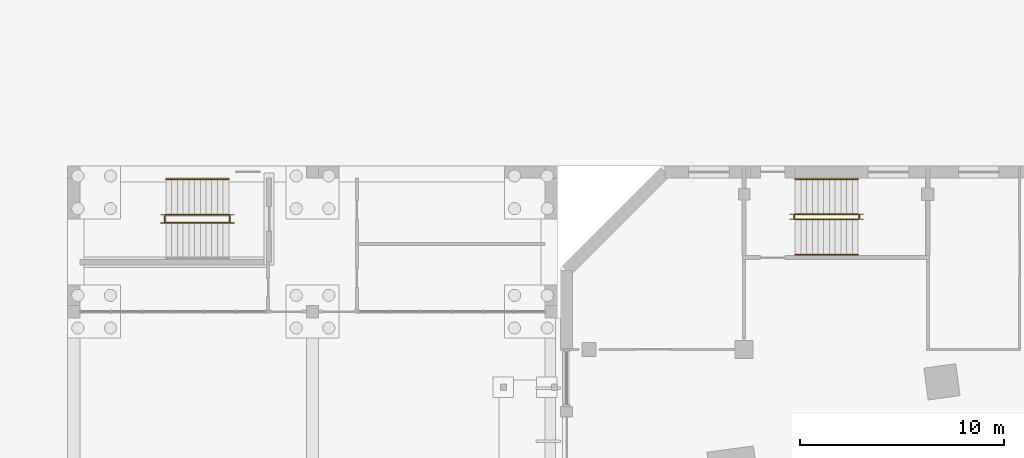
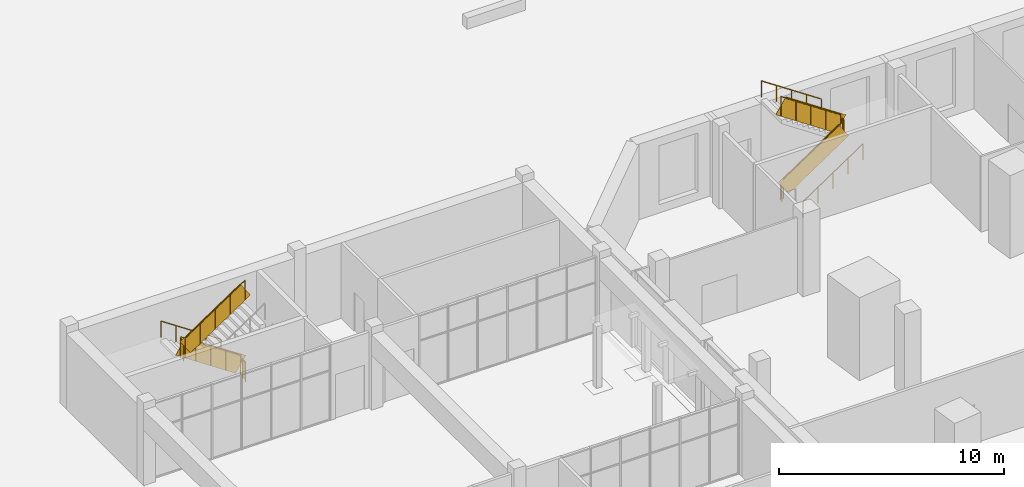
# One storey, part 39 of 42: 11 railings.
"""IFC4 building model written with IfcOpenShell, lengths in metres."""

import ifcopenshell
import ifcopenshell.guid

model = None  # the IFC model being written
_history = None  # IfcOwnerHistory: only IFC2X3 demands one
_inside = {}  # id of a spatial element -> (the spatial element, [elements in it])
_under = {}  # id of a project, library or spatial element -> (it, [spatial elements below it])
_declared = {}  # id of a project -> (the project, [libraries it declares])
_typed = {}  # id of a type object -> (the type object, [elements of that type])
_made_of = {}  # id of a material, layer set ... -> (it, [elements and type objects made of it])


def new_model(schema):
    """Start an empty IFC model of exactly this schema.

    Asked for "IFC4X3", IfcOpenShell would pick the latest addendum, in which some entities
    have other attributes; the version numbers below select the first issue.
    IFC2X3 requires an IfcOwnerHistory on every rooted entity: one is made here for all.
    """
    global model, _history
    if schema == "IFC4X3":
        model = ifcopenshell.file(schema_version=(4, 3, 0, 0))
    else:
        model = ifcopenshell.file(schema=schema)
    _inside.clear()
    _under.clear()
    _declared.clear()
    _typed.clear()
    _made_of.clear()
    _history = None
    if model.schema == "IFC2X3":
        org = make("IfcOrganization", Name="unknown")
        user = make(
            "IfcPersonAndOrganization",
            ThePerson=make("IfcPerson", FamilyName="unknown"),
            TheOrganization=org,
        )
        app = make(
            "IfcApplication",
            ApplicationDeveloper=org,
            Version="unknown",
            ApplicationFullName="unknown",
            ApplicationIdentifier="unknown",
        )
        _history = make(
            "IfcOwnerHistory",
            OwningUser=user,
            OwningApplication=app,
            ChangeAction="ADDED",
            CreationDate=0,
        )
    return model


def make(cls, **values):
    """One entity of the class cls with the attributes given. An attribute that is None is left unset."""
    return model.create_entity(
        cls, **{name: value for name, value in values.items() if value is not None}
    )


def rooted(cls, **values):
    """An entity with a GlobalId (a new one), such as an element, a storey or a relation."""
    return make(cls, GlobalId=ifcopenshell.guid.new(), OwnerHistory=_history, **values)


def si_unit(unit_type, name, prefix=None):
    """IfcSIUnit, for example si_unit("LENGTHUNIT", "METRE", prefix="MILLI")."""
    return make("IfcSIUnit", UnitType=unit_type, Prefix=prefix, Name=name)


def assignment(units):
    """IfcUnitAssignment: the units of a project."""
    return None if units is None else make("IfcUnitAssignment", Units=units)


def point(xyz):
    """IfcCartesianPoint."""
    return None if xyz is None else make("IfcCartesianPoint", Coordinates=xyz)


def direction(xyz):
    """IfcDirection."""
    return None if xyz is None else make("IfcDirection", DirectionRatios=xyz)


def frame(location, z_axis=None, x_axis=None):
    """IfcAxis2Placement3D, a coordinate frame: its origin and axes. An axis left out is left unset."""
    return make(
        "IfcAxis2Placement3D",
        Location=point(location),
        Axis=direction(z_axis),
        RefDirection=direction(x_axis),
    )


def frame_2d(location, x_axis=None):
    """IfcAxis2Placement2D, a coordinate frame in the plane: its origin and x axis."""
    return make(
        "IfcAxis2Placement2D", Location=point(location), RefDirection=direction(x_axis)
    )


def origin():
    """The frame at (0, 0, 0) with its axes left unset."""
    return frame((0.0, 0.0, 0.0))


def origin_2d():
    """The frame at (0, 0) in the plane with its x axis left unset."""
    return frame_2d((0.0, 0.0))


def place(relative_to, where):
    """IfcLocalPlacement: puts the frame where relative to a parent placement (None: the world)."""
    return make(
        "IfcLocalPlacement", PlacementRelTo=relative_to, RelativePlacement=where
    )


def context(
    kind, dimensions, precision=None, world=None, true_north=None, identifier=None
):
    """IfcGeometricRepresentationContext, for example the 3D "Model" context."""
    return make(
        "IfcGeometricRepresentationContext",
        ContextIdentifier=identifier,
        ContextType=kind,
        CoordinateSpaceDimension=dimensions,
        Precision=precision,
        WorldCoordinateSystem=world,
        TrueNorth=true_north,
    )


def subcontext(parent, identifier, kind, view, scale=None):
    """IfcGeometricRepresentationSubContext, for example "Body" below "Model"."""
    return make(
        "IfcGeometricRepresentationSubContext",
        ContextIdentifier=identifier,
        ContextType=kind,
        ParentContext=parent,
        TargetScale=scale,
        TargetView=view,
    )


def project(units=None, contexts=None):
    """IfcProject with its units and contexts."""
    return rooted(
        "IfcProject",
        Name="project",
        RepresentationContexts=contexts,
        UnitsInContext=assignment(units),
    )


def spatial(cls, under=None, at=None, **own):
    """A site, building, storey or space (cls), placed at a placement, below another one or the project."""
    s = rooted(cls, ObjectPlacement=at, **own)
    if under is not None:
        _under.setdefault(under.id(), (under, []))[1].append(s)
    return s


def profile(cls, at=None, kind="AREA", **sizes):
    """A parametric profile (cls). Its sizes go by their IFC names, for example OverallWidth=200.0."""
    return make(cls, ProfileType=kind, Position=at, **sizes)


def rectangle(**sizes):
    """IfcRectangleProfileDef."""
    return profile("IfcRectangleProfileDef", **sizes)


def circle(**sizes):
    """IfcCircleProfileDef."""
    return profile("IfcCircleProfileDef", **sizes)


def extrude(swept, where, along, depth):
    """IfcExtrudedAreaSolid: the profile swept, set in the frame where, extruded along a direction by depth."""
    return make(
        "IfcExtrudedAreaSolid",
        SweptArea=swept,
        Position=where,
        ExtrudedDirection=direction(along),
        Depth=depth,
    )


def shape(context_of_items, identifier, shape_type, items):
    """IfcShapeRepresentation: the items that make up one representation, for example the "Body"."""
    return make(
        "IfcShapeRepresentation",
        ContextOfItems=context_of_items,
        RepresentationIdentifier=identifier,
        RepresentationType=shape_type,
        Items=items,
    )


def material(Name=None, Category=None):
    """IfcMaterial."""
    return make("IfcMaterial", Name=Name, Category=Category)


def made_of(thing, what):
    """Note that an element or type object is made of a material, layer set ...; save() writes the relation."""
    if what is not None:
        _made_of.setdefault(what.id(), (what, []))[1].append(thing)
    return thing


def type_object(cls, material=None, **own):
    """A type object (cls), such as IfcWallType, which elements share."""
    return made_of(rooted(cls, **own), material)


def element(
    cls,
    number,
    at=None,
    inside=None,
    cuts=None,
    type_object=None,
    material=None,
    context=None,
    identifier="Body",
    shape_type=None,
    held_by="IfcProductDefinitionShape",
    body=None,
    shapes=None,
    **own,
):
    """One element of the class cls, such as IfcWall. Its Tag is "e" and its number.

    at: its placement. inside: the storey or other place that contains it. cuts: it is an
    opening in that element (IfcRelVoidsElement). A single representation is given by context,
    identifier, shape_type and body (its items); several are given by shapes. held_by: the class
    of the entity that holds the representations. save() writes the other relations.
    """
    e = rooted(cls, Tag="e%d" % number, ObjectPlacement=at, **own)
    if body is not None:
        shapes = [shape(context, identifier, shape_type, body)]
    if shapes is not None:
        e.Representation = make(held_by, Representations=shapes)
    if inside is not None:
        _inside.setdefault(inside.id(), (inside, []))[1].append(e)
    if cuts is not None:
        rooted(
            "IfcRelVoidsElement", RelatingBuildingElement=cuts, RelatedOpeningElement=e
        )
    if type_object is not None:
        _typed.setdefault(type_object.id(), (type_object, []))[1].append(e)
    return made_of(e, material)


def aggregate(whole, parts):
    """IfcRelAggregates: a whole, such as a stair, and the parts it consists of."""
    return rooted("IfcRelAggregates", RelatingObject=whole, RelatedObjects=parts)


def save(model, path):
    """Write the relations noted so far, then the file.

    IfcRelAggregates (storeys below a building ...), IfcRelContainedInSpatialStructure (elements
    in a storey), IfcRelDefinesByType, IfcRelAssociatesMaterial and IfcRelDeclares: one each for
    every whole, place, type object, material and project.
    """
    for whole, parts in _under.values():
        aggregate(whole, parts)
    for where, things in _inside.values():
        rooted(
            "IfcRelContainedInSpatialStructure",
            RelatedElements=things,
            RelatingStructure=where,
        )
    for kind, things in _typed.values():
        rooted("IfcRelDefinesByType", RelatedObjects=things, RelatingType=kind)
    for what, things in _made_of.values():
        rooted("IfcRelAssociatesMaterial", RelatedObjects=things, RelatingMaterial=what)
    for by, libraries in _declared.values():
        rooted("IfcRelDeclares", RelatingContext=by, RelatedDefinitions=libraries)
    model.write(path)


model = new_model("IFC4")

# Units and contexts
model_context = context("Model", 3, precision=1e-05, world=origin(), true_north=direction((0.0, 1.0)))
body_context = subcontext(model_context, "Body", "Model", "MODEL_VIEW")
ifc_project = project(units=[si_unit("LENGTHUNIT", "METRE"), si_unit("AREAUNIT", "SQUARE_METRE"), si_unit("VOLUMEUNIT", "CUBIC_METRE"), si_unit("PLANEANGLEUNIT", "RADIAN"), si_unit("MASSUNIT", "GRAM", prefix="KILO")], contexts=[model_context])

# Site, building, storey
site_placement = place(None, origin())
site = spatial("IfcSite", under=ifc_project, at=site_placement, CompositionType="ELEMENT")
building_placement = place(site_placement, origin())
building = spatial("IfcBuilding", under=site, at=building_placement, Name="Dilmun Exchange Tower", CompositionType="ELEMENT")
storey_placement = place(building_placement, origin())
storey = spatial("IfcBuildingStorey", under=building, at=storey_placement, Name="L00", CompositionType="ELEMENT", Elevation=0.0)

# Railings
ifc_material_1 = material(Name="Guard 1100")
railing_type_1 = type_object("IfcRailingType", Name="Guard 1100", PredefinedType="GUARDRAIL", material=ifc_material_1)
railing_1_placement = place(storey_placement, frame((-24.5, 33.3740234375, 0.1875)))
element("IfcRailing", 1, at=railing_1_placement, inside=storey, type_object=railing_type_1, Name="L00 PS1 stair guard 1", PredefinedType="GUARDRAIL", context=body_context, shape_type="SweptSolid", body=[
    extrude(circle(Radius=0.02392578125, at=origin_2d()), frame((0.0, 0.0, 1.076171875), z_axis=(0.830913701846, 0.0, 0.55640131208), x_axis=(0.0, 1.0, 0.0)), (0.0, 0.0, 1.0), 3.706787109375),
    extrude(rectangle(XDim=0.011962890625, YDim=0.951904296875, at=origin_2d()), frame((0.0, 0.0, 0.576171875), z_axis=(0.830913701846, 0.0, 0.55640131208), x_axis=(0.0, 1.0, 0.0)), (0.0, 0.0, 1.0), 3.706787109375),
    extrude(circle(Radius=0.02099609375, at=origin_2d()), origin(), (0.0, 0.0, 1.0), 1.052001953125),
    extrude(circle(Radius=0.02099609375, at=origin_2d()), frame((0.77001953125, 0.0, 0.515625)), (0.0, 0.0, 1.0), 1.052001953125),
    extrude(circle(Radius=0.02099609375, at=origin_2d()), frame((1.5400390625, 0.0, 1.03125)), (0.0, 0.0, 1.0), 1.052001953125),
    extrude(circle(Radius=0.02099609375, at=origin_2d()), frame((2.31005859375, 0.0, 1.546875)), (0.0, 0.0, 1.0), 1.052001953125),
    extrude(circle(Radius=0.02099609375, at=origin_2d()), frame((3.080078125, 0.0, 2.0625)), (0.0, 0.0, 1.0), 1.052001953125),
])
railing_2_placement = place(storey_placement, frame((-21.3701171875, 33.424072265625, 2.25)))
element("IfcRailing", 2, at=railing_2_placement, inside=storey, type_object=railing_type_1, Name="L00 PS1 stair guard 2", PredefinedType="GUARDRAIL", context=body_context, shape_type="SweptSolid", body=[
    extrude(circle(Radius=0.02392578125, at=origin_2d()), frame((0.0, 0.0, 1.076171875), z_axis=(0.0, 1.0, 0.0), x_axis=(-1.0, 0.0, 0.0)), (0.0, 0.0, 1.0), 0.14990234375),
    extrude(rectangle(XDim=0.011962890625, YDim=0.951904296875, at=origin_2d()), frame((0.0, 0.0, 0.576171875), z_axis=(0.0, 1.0, 0.0), x_axis=(-1.0, 0.0, 0.0)), (0.0, 0.0, 1.0), 0.14990234375),
    extrude(circle(Radius=0.02099609375, at=origin_2d()), origin(), (0.0, 0.0, 1.0), 1.052001953125),
    extrude(circle(Radius=0.02099609375, at=origin_2d()), frame((0.0, 0.14990234375, 0.0)), (0.0, 0.0, 1.0), 1.052001953125),
])
railing_3_placement = place(storey_placement, frame((-21.419921875, 33.6240234375, 2.4375)))
element("IfcRailing", 3, at=railing_3_placement, inside=storey, type_object=railing_type_1, Name="L00 PS1 stair guard 3", PredefinedType="GUARDRAIL", context=body_context, shape_type="SweptSolid", body=[
    extrude(circle(Radius=0.02392578125, at=origin_2d()), frame((0.0, 0.0, 1.076171875), z_axis=(-0.830913701846, 0.0, 0.55640131208), x_axis=(0.0, -1.0, 0.0)), (0.0, 0.0, 1.0), 3.706787109375),
    extrude(rectangle(XDim=0.011962890625, YDim=0.951904296875, at=origin_2d()), frame((0.0, 0.0, 0.576171875), z_axis=(-0.830913701846, 0.0, 0.55640131208), x_axis=(0.0, -1.0, 0.0)), (0.0, 0.0, 1.0), 3.706787109375),
    extrude(circle(Radius=0.02099609375, at=origin_2d()), origin(), (0.0, 0.0, 1.0), 1.052001953125),
    extrude(circle(Radius=0.02099609375, at=origin_2d()), frame((-0.77001953125, 0.0, 0.515625)), (0.0, 0.0, 1.0), 1.052001953125),
    extrude(circle(Radius=0.02099609375, at=origin_2d()), frame((-1.5400390625, 0.0, 1.03125)), (0.0, 0.0, 1.0), 1.052001953125),
    extrude(circle(Radius=0.02099609375, at=origin_2d()), frame((-2.31005859375, 0.0, 1.546875)), (0.0, 0.0, 1.0), 1.052001953125),
    extrude(circle(Radius=0.02099609375, at=origin_2d()), frame((-3.080078125, 0.0, 2.0625)), (0.0, 0.0, 1.0), 1.052001953125),
])
railing_4_placement = place(storey_placement, frame((-24.550048828125, 33.424072265625, 0.0)))
element("IfcRailing", 4, at=railing_4_placement, inside=storey, type_object=railing_type_1, Name="L00 PS1 stair guard 4", PredefinedType="GUARDRAIL", context=body_context, shape_type="SweptSolid", body=[
    extrude(circle(Radius=0.02392578125, at=origin_2d()), frame((0.0, 0.0, 1.076171875), z_axis=(0.0, 1.0, 0.0), x_axis=(-1.0, 0.0, 0.0)), (0.0, 0.0, 1.0), 0.14990234375),
    extrude(rectangle(XDim=0.011962890625, YDim=0.951904296875, at=origin_2d()), frame((0.0, 0.0, 0.576171875), z_axis=(0.0, 1.0, 0.0), x_axis=(-1.0, 0.0, 0.0)), (0.0, 0.0, 1.0), 0.14990234375),
    extrude(circle(Radius=0.02099609375, at=origin_2d()), origin(), (0.0, 0.0, 1.0), 1.052001953125),
    extrude(circle(Radius=0.02099609375, at=origin_2d()), frame((0.0, 0.14990234375, 0.0)), (0.0, 0.0, 1.0), 1.052001953125),
])
ifc_material_2 = material(Name="Handrail 900")
railing_type_2 = type_object("IfcRailingType", Name="Handrail 900", PredefinedType="HANDRAIL", material=ifc_material_2)
railing_5_placement = place(storey_placement, frame((-24.5, 31.64990234375, 0.1875)))
element("IfcRailing", 5, at=railing_5_placement, inside=storey, type_object=railing_type_2, Name="L00 PS1 stair handrail 1", PredefinedType="HANDRAIL", context=body_context, shape_type="SweptSolid", body=[
    extrude(circle(Radius=0.02392578125, at=origin_2d()), frame((0.0, 0.0, 0.8759765625), z_axis=(0.830913701846, 0.0, 0.55640131208), x_axis=(0.0, 1.0, 0.0)), (0.0, 0.0, 1.0), 3.706787109375),
    extrude(circle(Radius=0.02099609375, at=origin_2d()), origin(), (0.0, 0.0, 1.0), 0.851806640625),
    extrude(circle(Radius=0.02099609375, at=origin_2d()), frame((0.77001953125, 0.0, 0.515625)), (0.0, 0.0, 1.0), 0.851806640625),
    extrude(circle(Radius=0.02099609375, at=origin_2d()), frame((1.5400390625, 0.0, 1.03125)), (0.0, 0.0, 1.0), 0.851806640625),
    extrude(circle(Radius=0.02099609375, at=origin_2d()), frame((2.31005859375, 0.0, 1.546875)), (0.0, 0.0, 1.0), 0.851806640625),
    extrude(circle(Radius=0.02099609375, at=origin_2d()), frame((3.080078125, 0.0, 2.0625)), (0.0, 0.0, 1.0), 0.851806640625),
])
railing_6_placement = place(storey_placement, frame((-21.419921875, 35.347900390625, 2.4375)))
element("IfcRailing", 6, at=railing_6_placement, inside=storey, type_object=railing_type_2, Name="L00 PS1 stair handrail 2", PredefinedType="HANDRAIL", context=body_context, shape_type="SweptSolid", body=[
    extrude(circle(Radius=0.02392578125, at=origin_2d()), frame((0.0, 0.0, 0.8759765625), z_axis=(-0.830913701846, 0.0, 0.55640131208), x_axis=(0.0, -1.0, 0.0)), (0.0, 0.0, 1.0), 3.706787109375),
    extrude(circle(Radius=0.02099609375, at=origin_2d()), origin(), (0.0, 0.0, 1.0), 0.851806640625),
    extrude(circle(Radius=0.02099609375, at=origin_2d()), frame((-0.77001953125, 0.0, 0.515625)), (0.0, 0.0, 1.0), 0.851806640625),
    extrude(circle(Radius=0.02099609375, at=origin_2d()), frame((-1.5400390625, 0.0, 1.03125)), (0.0, 0.0, 1.0), 0.851806640625),
    extrude(circle(Radius=0.02099609375, at=origin_2d()), frame((-2.31005859375, 0.0, 1.546875)), (0.0, 0.0, 1.0), 0.851806640625),
    extrude(circle(Radius=0.02099609375, at=origin_2d()), frame((-3.080078125, 0.0, 2.0625)), (0.0, 0.0, 1.0), 0.851806640625),
])
ifc_material_3 = material(Name="Steel S355", Category="steel")
railing_type_3 = type_object("IfcRailingType", Name="School stair guard 1100", PredefinedType="GUARDRAIL", material=ifc_material_3)
railing_7_placement = place(storey_placement, frame((-52.25, 33.60009765625, 0.1875)))
element("IfcRailing", 7, at=railing_7_placement, inside=storey, type_object=railing_type_3, Name="L00 SCH-S1 stair guard 1", PredefinedType="GUARDRAIL", context=body_context, shape_type="SweptSolid", body=[
    extrude(circle(Radius=0.02392578125, at=origin_2d()), frame((0.0, 0.0, 1.076171875), z_axis=(-0.830913701846, 0.0, 0.55640131208), x_axis=(0.0, -1.0, 0.0)), (0.0, 0.0, 1.0), 3.706787109375),
    extrude(rectangle(XDim=0.011962890625, YDim=0.951904296875, at=origin_2d()), frame((0.0, 0.0, 0.576171875), z_axis=(-0.830913701846, 0.0, 0.55640131208), x_axis=(0.0, -1.0, 0.0)), (0.0, 0.0, 1.0), 3.706787109375),
    extrude(circle(Radius=0.02099609375, at=origin_2d()), origin(), (0.0, 0.0, 1.0), 1.052001953125),
    extrude(circle(Radius=0.02099609375, at=origin_2d()), frame((-0.77001953125, 0.0, 0.515625)), (0.0, 0.0, 1.0), 1.052001953125),
    extrude(circle(Radius=0.02099609375, at=origin_2d()), frame((-1.5400390625, 0.0, 1.03125)), (0.0, 0.0, 1.0), 1.052001953125),
    extrude(circle(Radius=0.02099609375, at=origin_2d()), frame((-2.31005859375, 0.0, 1.546875)), (0.0, 0.0, 1.0), 1.052001953125),
    extrude(circle(Radius=0.02099609375, at=origin_2d()), frame((-3.080078125, 0.0, 2.0625)), (0.0, 0.0, 1.0), 1.052001953125),
])
railing_8_placement = place(storey_placement, frame((-55.3798828125, 33.550048828125, 2.25)))
element("IfcRailing", 8, at=railing_8_placement, inside=storey, type_object=railing_type_3, Name="L00 SCH-S1 stair guard 2", PredefinedType="GUARDRAIL", context=body_context, shape_type="SweptSolid", body=[
    extrude(circle(Radius=0.02392578125, at=origin_2d()), frame((0.0, 0.0, 1.076171875), z_axis=(0.0, -1.0, 0.0), x_axis=(1.0, 0.0, 0.0)), (0.0, 0.0, 1.0), 0.300048828125),
    extrude(rectangle(XDim=0.011962890625, YDim=0.951904296875, at=origin_2d()), frame((0.0, 0.0, 0.576171875), z_axis=(0.0, -1.0, 0.0), x_axis=(1.0, 0.0, 0.0)), (0.0, 0.0, 1.0), 0.300048828125),
    extrude(circle(Radius=0.02099609375, at=origin_2d()), origin(), (0.0, 0.0, 1.0), 1.052001953125),
    extrude(circle(Radius=0.02099609375, at=origin_2d()), frame((0.0, -0.300048828125, 0.0)), (0.0, 0.0, 1.0), 1.052001953125),
])
railing_9_placement = place(storey_placement, frame((-55.330078125, 33.199951171875, 2.4375)))
element("IfcRailing", 9, at=railing_9_placement, inside=storey, type_object=railing_type_3, Name="L00 SCH-S1 stair guard 3", PredefinedType="GUARDRAIL", context=body_context, shape_type="SweptSolid", body=[
    extrude(circle(Radius=0.02392578125, at=origin_2d()), frame((0.0, 0.0, 1.076171875), z_axis=(0.830913701846, 0.0, 0.55640131208), x_axis=(0.0, 1.0, 0.0)), (0.0, 0.0, 1.0), 3.706787109375),
    extrude(rectangle(XDim=0.011962890625, YDim=0.951904296875, at=origin_2d()), frame((0.0, 0.0, 0.576171875), z_axis=(0.830913701846, 0.0, 0.55640131208), x_axis=(0.0, 1.0, 0.0)), (0.0, 0.0, 1.0), 3.706787109375),
    extrude(circle(Radius=0.02099609375, at=origin_2d()), origin(), (0.0, 0.0, 1.0), 1.052001953125),
    extrude(circle(Radius=0.02099609375, at=origin_2d()), frame((0.77001953125, 0.0, 0.515625)), (0.0, 0.0, 1.0), 1.052001953125),
    extrude(circle(Radius=0.02099609375, at=origin_2d()), frame((1.5400390625, 0.0, 1.03125)), (0.0, 0.0, 1.0), 1.052001953125),
    extrude(circle(Radius=0.02099609375, at=origin_2d()), frame((2.31005859375, 0.0, 1.546875)), (0.0, 0.0, 1.0), 1.052001953125),
    extrude(circle(Radius=0.02099609375, at=origin_2d()), frame((3.080078125, 0.0, 2.0625)), (0.0, 0.0, 1.0), 1.052001953125),
])
railing_10_placement = place(storey_placement, frame((-52.199951171875, 33.550048828125, 0.0)))
element("IfcRailing", 10, at=railing_10_placement, inside=storey, type_object=railing_type_3, Name="L00 SCH-S1 stair guard 4", PredefinedType="GUARDRAIL", context=body_context, shape_type="SweptSolid", body=[
    extrude(circle(Radius=0.02392578125, at=origin_2d()), frame((0.0, 0.0, 1.076171875), z_axis=(0.0, -1.0, 0.0), x_axis=(1.0, 0.0, 0.0)), (0.0, 0.0, 1.0), 0.300048828125),
    extrude(rectangle(XDim=0.011962890625, YDim=0.951904296875, at=origin_2d()), frame((0.0, 0.0, 0.576171875), z_axis=(0.0, -1.0, 0.0), x_axis=(1.0, 0.0, 0.0)), (0.0, 0.0, 1.0), 0.300048828125),
    extrude(circle(Radius=0.02099609375, at=origin_2d()), origin(), (0.0, 0.0, 1.0), 1.052001953125),
    extrude(circle(Radius=0.02099609375, at=origin_2d()), frame((0.0, -0.300048828125, 0.0)), (0.0, 0.0, 1.0), 1.052001953125),
])
railing_type_4 = type_object("IfcRailingType", Name="School stair handrail 900", PredefinedType="HANDRAIL", material=ifc_material_3)
railing_11_placement = place(storey_placement, frame((-52.25, 35.35009765625, 0.1875)))
element("IfcRailing", 11, at=railing_11_placement, inside=storey, type_object=railing_type_4, Name="L00 SCH-S1 stair handrail 1", PredefinedType="HANDRAIL", context=body_context, shape_type="SweptSolid", body=[
    extrude(circle(Radius=0.02392578125, at=origin_2d()), frame((0.0, 0.0, 0.8759765625), z_axis=(-0.830913701846, 0.0, 0.55640131208), x_axis=(0.0, -1.0, 0.0)), (0.0, 0.0, 1.0), 3.706787109375),
    extrude(circle(Radius=0.02099609375, at=origin_2d()), origin(), (0.0, 0.0, 1.0), 0.851806640625),
    extrude(circle(Radius=0.02099609375, at=origin_2d()), frame((-0.77001953125, 0.0, 0.515625)), (0.0, 0.0, 1.0), 0.851806640625),
    extrude(circle(Radius=0.02099609375, at=origin_2d()), frame((-1.5400390625, 0.0, 1.03125)), (0.0, 0.0, 1.0), 0.851806640625),
    extrude(circle(Radius=0.02099609375, at=origin_2d()), frame((-2.31005859375, 0.0, 1.546875)), (0.0, 0.0, 1.0), 0.851806640625),
    extrude(circle(Radius=0.02099609375, at=origin_2d()), frame((-3.080078125, 0.0, 2.0625)), (0.0, 0.0, 1.0), 0.851806640625),
])

save(model, "model.ifc")
